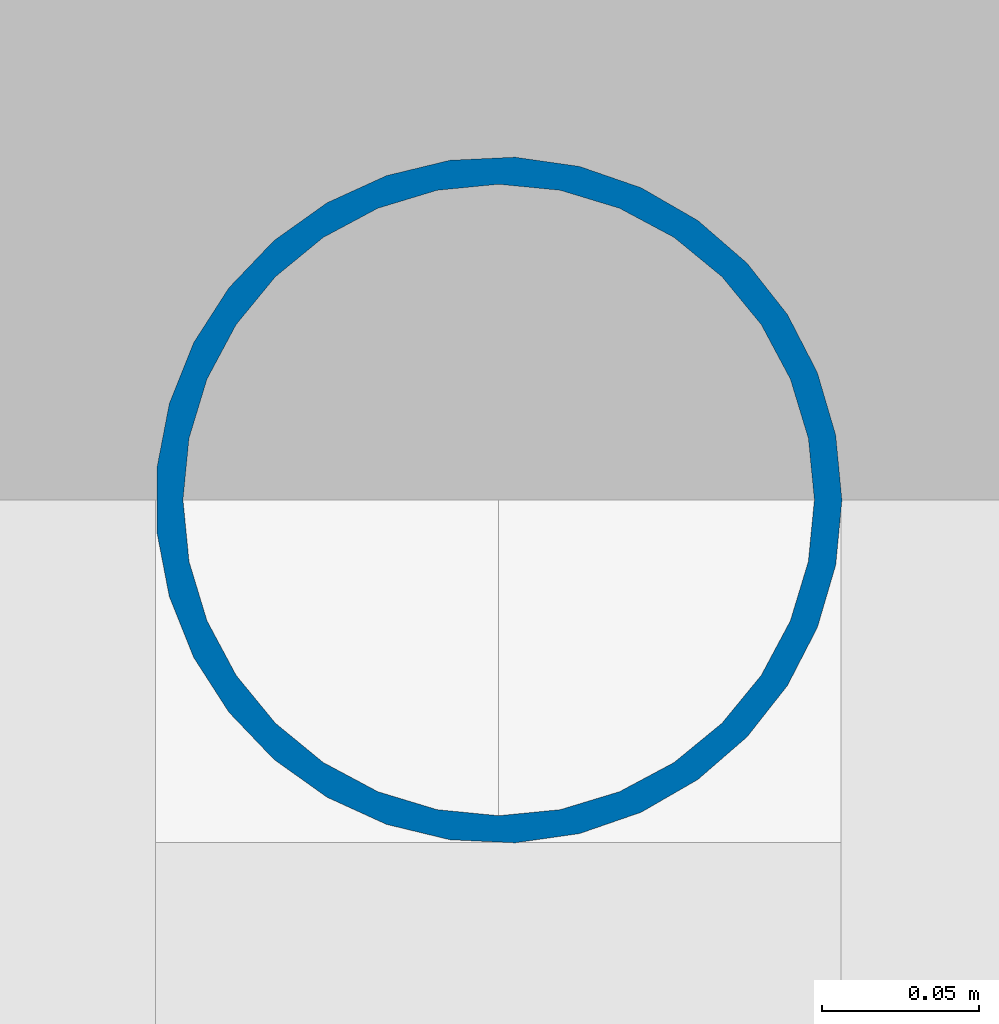
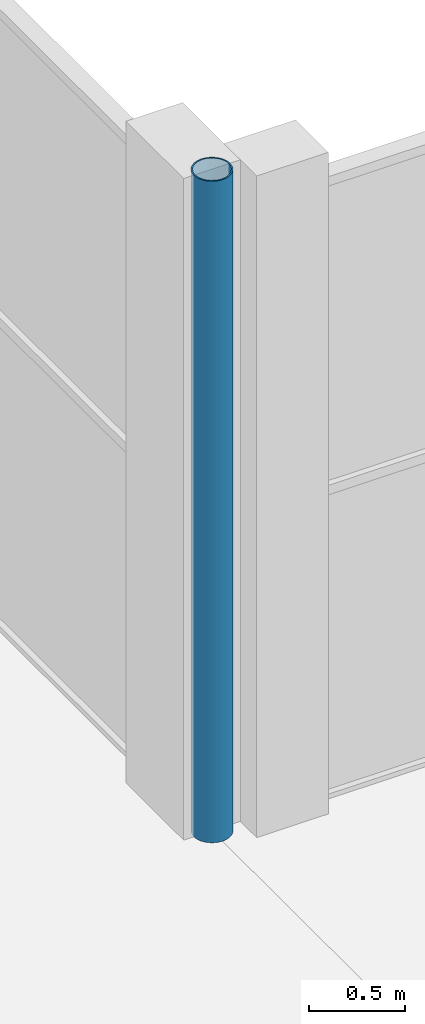
# One storey, part 2 of 59: 1 column.
"""IFC4 building model written with IfcOpenShell, lengths in metres."""

from ifc_helpers import new_model, si_unit, derived_unit, direction, frame, origin, origin_2d, place, context, subcontext, project, spatial, hollow_circle, extrude, material, material_profile, profile_set, type_object, element, save


model = new_model("IFC4")

# Units and contexts
model_context = context("Model", 3, precision=1e-05, world=origin(), true_north=direction((0.0, 1.0)))
body_context = subcontext(model_context, "Body", "Model", "MODEL_VIEW")
ifc_project = project(units=[si_unit("LENGTHUNIT", "METRE"), si_unit("AREAUNIT", "SQUARE_METRE"), si_unit("VOLUMEUNIT", "CUBIC_METRE"), si_unit("PLANEANGLEUNIT", "RADIAN"), si_unit("MASSUNIT", "GRAM", prefix="KILO"), derived_unit("THERMALTRANSMITTANCEUNIT", [(si_unit("POWERUNIT", "WATT"), 1), (si_unit("LENGTHUNIT", "METRE"), -2), (si_unit("THERMODYNAMICTEMPERATUREUNIT", "KELVIN"), -1)])], contexts=[model_context])

# Site, building, storey
site_placement = place(None, origin())
site = spatial("IfcSite", under=ifc_project, at=site_placement, CompositionType="ELEMENT")
building_placement = place(site_placement, origin())
building = spatial("IfcBuilding", under=site, at=building_placement, Name="Barrovel Congress Hotel", CompositionType="ELEMENT")
storey_placement = place(building_placement, frame((0.0, 0.0, 9.89990234375)))
storey = spatial("IfcBuildingStorey", under=building, at=storey_placement, Name="L02", CompositionType="ELEMENT", Elevation=9.89990234375)

# Column
ifc_material = material(Name="Steel ASTM A500 Grade C", Category="steel")
ifc_material_profile = material_profile(ifc_material, hollow_circle(Radius=0.109619140625, WallThickness=0.0087890625, at=origin_2d()), Name="CHS219.1x9.5")
ifc_profile_set = profile_set([ifc_material_profile], Name="Steel ASTM A500 Grade C")
column_type = type_object("IfcColumnType", Name="SCOL-CHS219.1x9.5", PredefinedType="COLUMN", material=ifc_profile_set)
column_placement = place(storey_placement, frame((58.800048828125, 46.199951171875, 0.0), z_axis=(0.0, 0.0, 1.0), x_axis=(1.0, 0.0, 0.0)))
element("IfcColumn", 1, at=column_placement, inside=storey, type_object=column_type, Name="COL:L02:58.8:46.2", PredefinedType="COLUMN", context=body_context, shape_type="SweptSolid", body=[
    extrude(hollow_circle(Radius=0.109619140625, WallThickness=0.0087890625, at=origin_2d()), origin(), (0.0, 0.0, 1.0), 4.2001953125),
])

save(model, "model.ifc")
